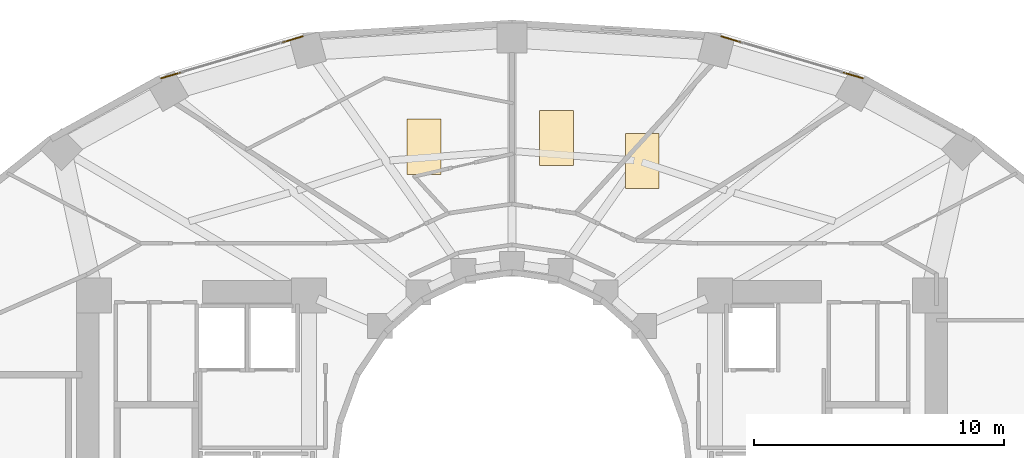
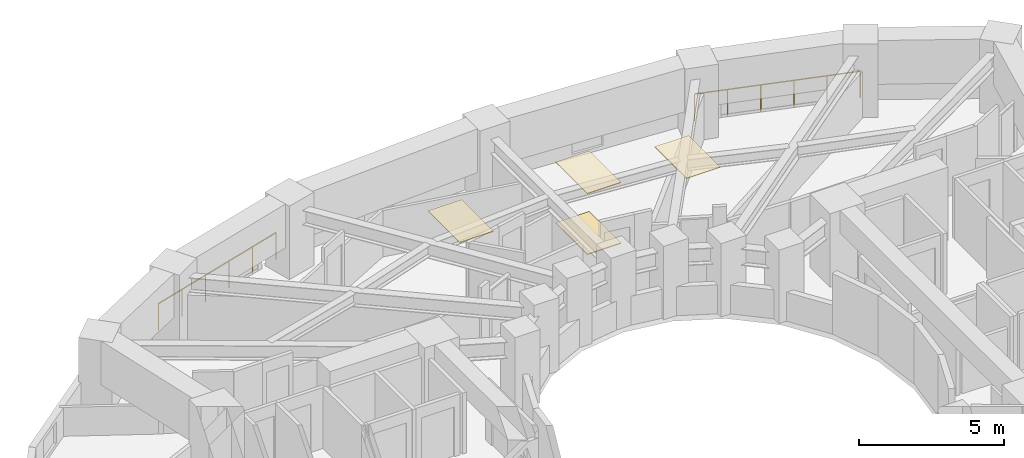
# One storey, part 17 of 17: 4 coverings, 2 railings.
"""IFC4 building model written with IfcOpenShell, lengths in metres."""

from ifc_helpers import new_model, si_unit, direction, frame, origin, origin_2d, place, context, subcontext, project, spatial, polyline, circle, outline, extrude, material, layer, layer_set, type_object, element, save


model = new_model("IFC4")

# Units and contexts
model_context = context("Model", 3, precision=1e-05, world=origin(), true_north=direction((0.0, 1.0)))
body_context = subcontext(model_context, "Body", "Model", "MODEL_VIEW")
ifc_project = project(units=[si_unit("LENGTHUNIT", "METRE"), si_unit("AREAUNIT", "SQUARE_METRE"), si_unit("VOLUMEUNIT", "CUBIC_METRE"), si_unit("PLANEANGLEUNIT", "RADIAN"), si_unit("MASSUNIT", "GRAM", prefix="KILO")], contexts=[model_context])

# Site, building, storey
site_placement = place(None, origin())
site = spatial("IfcSite", under=ifc_project, at=site_placement, CompositionType="ELEMENT")
building_placement = place(site_placement, origin())
building = spatial("IfcBuilding", under=site, at=building_placement, Name="Solvane Sanctuary Tower", CompositionType="ELEMENT")
storey_placement = place(building_placement, frame((0.0, 0.0, 52.39990234375)))
storey = spatial("IfcBuildingStorey", under=building, at=storey_placement, Name="L15", CompositionType="ELEMENT", Elevation=52.39990234375)

# Coverings
ifc_material_1 = material(Name="Acoustic Gypsum Partition Board")
ifc_layer_1 = layer(ifc_material_1, 0.02490234375, Name="Acoustic Gypsum Partition Board")
ifc_layer_set_1 = layer_set([ifc_layer_1], Name="Acoustic Gypsum Partition Board")
covering_type_1 = type_object("IfcCoveringType", Name="Covering CLG-ACOUST", PredefinedType="CEILING", material=ifc_layer_set_1)
covering_1_placement = place(storey_placement, frame((0.0, 0.0, 2.570068359375)))
element("IfcCovering", 1, at=covering_1_placement, inside=storey, type_object=covering_type_1, Name="L15 Unit Acoustic Ceiling Panel 1", PredefinedType="CEILING", context=body_context, shape_type="SweptSolid", body=[
    extrude(outline(polyline([(36.529052734375, 34.465087890625), (37.87890625, 34.465087890625), (37.87890625, 36.6650390625), (36.529052734375, 36.6650390625), (36.529052734375, 34.465087890625)])), origin(), (0.0, 0.0, 1.0), 0.030029296875),
])
covering_2_placement = place(storey_placement, frame((0.0, 0.0, 2.570068359375)))
element("IfcCovering", 2, at=covering_2_placement, inside=storey, type_object=covering_type_1, Name="L15 Unit Acoustic Ceiling Panel 2", PredefinedType="CEILING", context=body_context, shape_type="SweptSolid", body=[
    extrude(outline(polyline([(33.10009765625, 35.384033203125), (34.449951171875, 35.384033203125), (34.449951171875, 37.583984375), (33.10009765625, 37.583984375), (33.10009765625, 35.384033203125)])), origin(), (0.0, 0.0, 1.0), 0.030029296875),
])
covering_3_placement = place(storey_placement, frame((0.0, 0.0, 2.570068359375)))
element("IfcCovering", 3, at=covering_3_placement, inside=storey, type_object=covering_type_1, Name="L15 Unit Acoustic Ceiling Panel 3", PredefinedType="CEILING", context=body_context, shape_type="SweptSolid", body=[
    extrude(outline(polyline([(27.804931640625, 35.037109375), (29.155029296875, 35.037109375), (29.155029296875, 37.237060546875), (27.804931640625, 37.237060546875), (27.804931640625, 35.037109375)])), origin(), (0.0, 0.0, 1.0), 0.030029296875),
])
ifc_material_2 = material(Name="Ceramic Tile Finish")
ifc_layer_2 = layer(ifc_material_2, 0.030029296875, Name="Ceramic Tile Finish")
ifc_layer_set_2 = layer_set([ifc_layer_2], Name="Ceramic Tile Finish")
covering_type_2 = type_object("IfcCoveringType", Name="Covering FLR-TERRAZZO", PredefinedType="FLOORING", material=ifc_layer_set_2)
covering_4_placement = place(storey_placement, origin())
element("IfcCovering", 4, at=covering_4_placement, inside=storey, type_object=covering_type_2, Name="L15 Unit Terrazzo Inlay 2", PredefinedType="FLOORING", context=body_context, shape_type="SweptSolid", body=[
    extrude(outline(polyline([(33.10009765625, 35.384033203125), (34.449951171875, 35.384033203125), (34.449951171875, 37.583984375), (33.10009765625, 37.583984375), (33.10009765625, 35.384033203125)])), origin(), (0.0, 0.0, 1.0), 0.03515625),
])

# Railings
ifc_material_3 = material(Name="Architectural Stainless Steel 316", Category="steel")
railing_type = type_object("IfcRailingType", Name="Railing GR-BALC-1150", PredefinedType="BALUSTRADE", material=ifc_material_3)
railing_1_placement = place(storey_placement, frame((46.01318359375, 38.87060546875, 0.0)))
element("IfcRailing", 5, at=railing_1_placement, inside=storey, type_object=railing_type, Name="L15 Curtain-Wall Perimeter Sill Guard 04", PredefinedType="BALUSTRADE", context=body_context, shape_type="SweptSolid", body=[
    extrude(circle(Radius=0.02392578125, at=origin_2d()), frame((0.0, 0.0, 1.1259765625), z_axis=(-0.958844892166, 0.283930401274, 0.0), x_axis=(-0.283930401274, -0.958844892166, 0.0)), (0.0, 0.0, 1.0), 5.895263671875),
    extrude(circle(Radius=0.02099609375, at=origin_2d()), origin(), (0.0, 0.0, 1.0), 1.101806640625),
    extrude(circle(Radius=0.02099609375, at=origin_2d()), frame((-1.130615234375, 0.334716796875, 0.0)), (0.0, 0.0, 1.0), 1.101806640625),
    extrude(circle(Radius=0.02099609375, at=origin_2d()), frame((-2.260986328125, 0.66943359375, 0.0)), (0.0, 0.0, 1.0), 1.101806640625),
    extrude(circle(Radius=0.02099609375, at=origin_2d()), frame((-3.3916015625, 1.00439453125, 0.0)), (0.0, 0.0, 1.0), 1.101806640625),
    extrude(circle(Radius=0.02099609375, at=origin_2d()), frame((-4.52197265625, 1.339111328125, 0.0)), (0.0, 0.0, 1.0), 1.101806640625),
    extrude(circle(Radius=0.02099609375, at=origin_2d()), frame((-5.652587890625, 1.673828125, 0.0)), (0.0, 0.0, 1.0), 1.101806640625),
])
railing_2_placement = place(storey_placement, frame((23.639404296875, 40.54443359375, 0.0)))
element("IfcRailing", 6, at=railing_2_placement, inside=storey, type_object=railing_type, Name="L15 Curtain-Wall Perimeter Sill Guard 07", PredefinedType="BALUSTRADE", context=body_context, shape_type="SweptSolid", body=[
    extrude(circle(Radius=0.02392578125, at=origin_2d()), frame((0.0, 0.0, 1.1259765625), z_axis=(-0.958844892166, -0.283930401274, 0.0), x_axis=(0.283930401274, -0.958844892166, 0.0)), (0.0, 0.0, 1.0), 5.895263671875),
    extrude(circle(Radius=0.02099609375, at=origin_2d()), origin(), (0.0, 0.0, 1.0), 1.101806640625),
    extrude(circle(Radius=0.02099609375, at=origin_2d()), frame((-1.130615234375, -0.334716796875, 0.0)), (0.0, 0.0, 1.0), 1.101806640625),
    extrude(circle(Radius=0.02099609375, at=origin_2d()), frame((-2.260986328125, -0.66943359375, 0.0)), (0.0, 0.0, 1.0), 1.101806640625),
    extrude(circle(Radius=0.02099609375, at=origin_2d()), frame((-3.3916015625, -1.00439453125, 0.0)), (0.0, 0.0, 1.0), 1.101806640625),
    extrude(circle(Radius=0.02099609375, at=origin_2d()), frame((-4.52197265625, -1.339111328125, 0.0)), (0.0, 0.0, 1.0), 1.101806640625),
    extrude(circle(Radius=0.02099609375, at=origin_2d()), frame((-5.652587890625, -1.673828125, 0.0)), (0.0, 0.0, 1.0), 1.101806640625),
])

save(model, "model.ifc")
